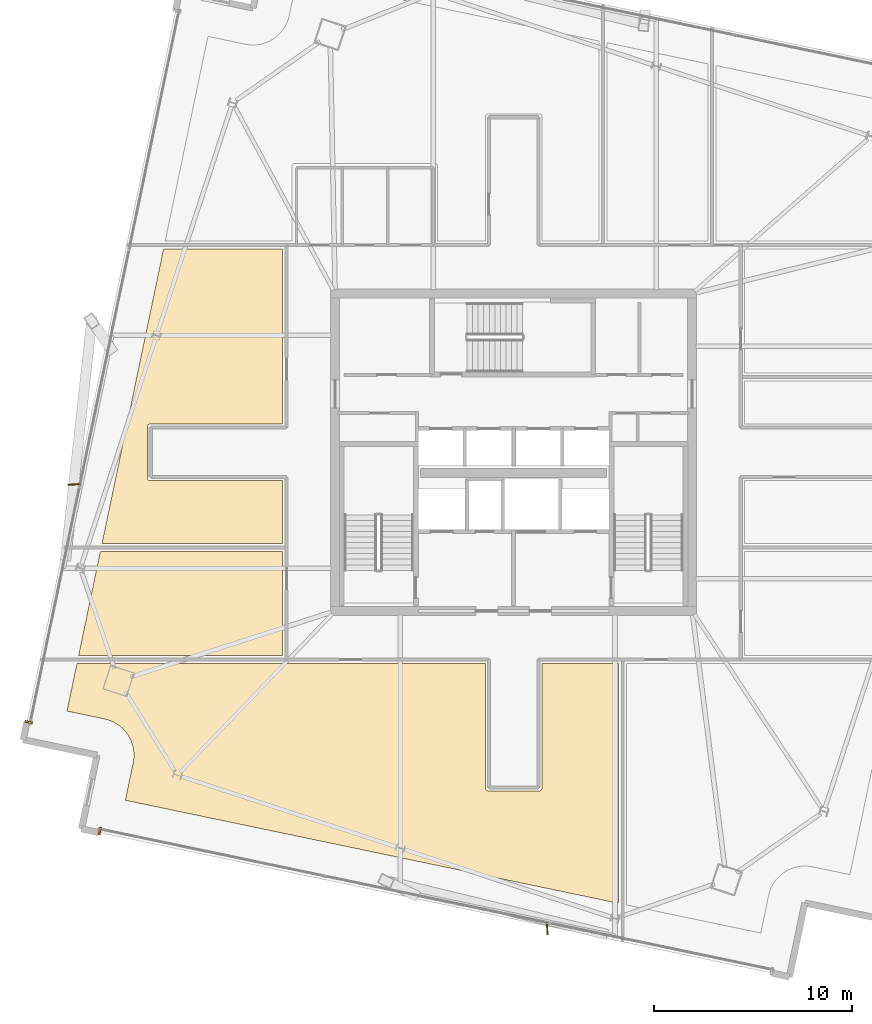
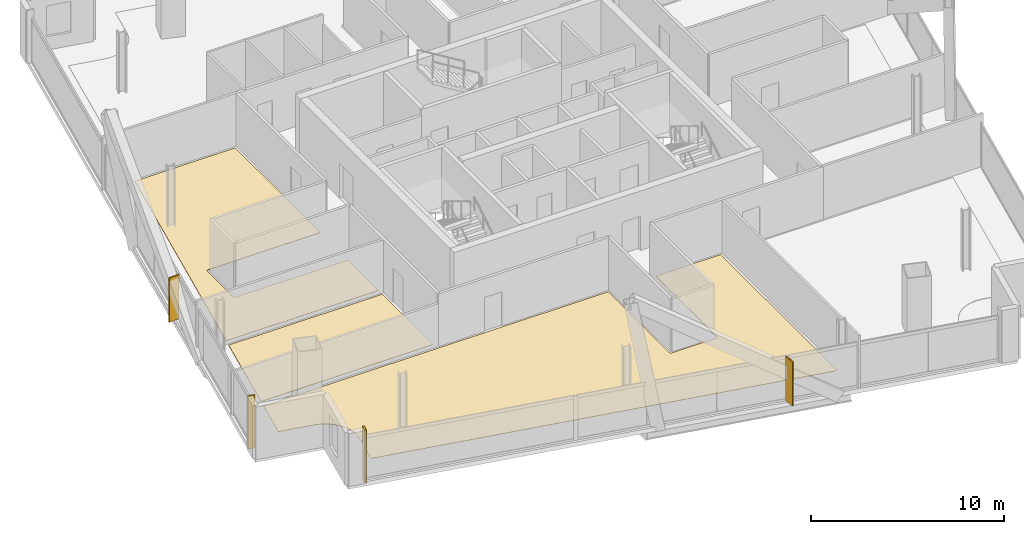
# One storey, part 21 of 24: 5 coverings, 2 shading devices.
"""IFC4 building model written with IfcOpenShell, lengths in metres."""

from ifc_helpers import new_model, si_unit, direction, frame, origin, origin_2d, place, context, subcontext, project, spatial, polyline, rectangle, outline, extrude, source, transform, mapped, material, layer, layer_set, type_object, element, save


model = new_model("IFC4")

# Units and contexts
model_context = context("Model", 3, precision=1e-05, world=origin(), true_north=direction((0.0, 1.0)))
body_context = subcontext(model_context, "Body", "Model", "MODEL_VIEW")
ifc_project = project(units=[si_unit("LENGTHUNIT", "METRE"), si_unit("AREAUNIT", "SQUARE_METRE"), si_unit("VOLUMEUNIT", "CUBIC_METRE"), si_unit("PLANEANGLEUNIT", "RADIAN"), si_unit("MASSUNIT", "GRAM", prefix="KILO")], contexts=[model_context])

# Site, building, storey
site_placement = place(None, origin())
site = spatial("IfcSite", under=ifc_project, at=site_placement, CompositionType="ELEMENT")
building_placement = place(site_placement, origin())
building = spatial("IfcBuilding", under=site, at=building_placement, Name="Haldenkirk Collegiate Tower", CompositionType="ELEMENT")
storey_placement = place(building_placement, frame((0.0, 0.0, 289.949951171875)))
storey = spatial("IfcBuildingStorey", under=building, at=storey_placement, Name="L73", CompositionType="ELEMENT", Elevation=289.949951171875)

# Coverings
ifc_material_1 = material(Name="Polished collegiate terrazzo", Category="concrete")
ifc_layer_1 = layer(ifc_material_1, 0.02490234375)
ifc_layer_set_1 = layer_set([ifc_layer_1], Name="Polished collegiate terrazzo")
covering_type_1 = type_object("IfcCoveringType", Name="COV-FLOOR-TERRAZZO", PredefinedType="FLOORING", material=ifc_layer_set_1)
covering_1_placement = place(storey_placement, origin())
element("IfcCovering", 1, at=covering_1_placement, inside=storey, type_object=covering_type_1, Name="L73 academic room finish 06", PredefinedType="FLOORING", context=body_context, shape_type="SweptSolid", body=[
    extrude(outline(polyline([(15.156982421875, 21.0), (24.35009765625, 21.0), (24.35009765625, 15.75), (14.060302734375, 15.75), (15.156982421875, 21.0)])), origin(), (0.0, 0.0, 1.0), 0.025146484375),
])
ifc_material_2 = material(Name="Engineered collegiate oak acoustic flooring", Category="wood")
ifc_layer_2 = layer(ifc_material_2, 0.02197265625)
ifc_layer_set_2 = layer_set([ifc_layer_2], Name="Engineered collegiate oak acoustic flooring")
covering_type_2 = type_object("IfcCoveringType", Name="COV-FLOOR-TIMBER", PredefinedType="FLOORING", material=ifc_layer_set_2)
covering_2_placement = place(storey_placement, origin())
element("IfcCovering", 2, at=covering_2_placement, inside=storey, type_object=covering_type_2, Name="L73 academic room finish 01", PredefinedType="FLOORING", context=body_context, shape_type="SweptSolid", body=[
    extrude(outline(polyline([(16.41796875, 8.45361328125), (16.812744140625, 10.343017578125), (16.813720703125, 10.3486328125), (16.840576171875, 10.518310546875), (16.841796875, 10.530029296875), (16.851806640625, 10.701416015625), (16.85205078125, 10.71337890625), (16.84521484375, 10.885009765625), (16.84423828125, 10.896484375), (16.82080078125, 11.066650390625), (16.818603515625, 11.078369140625), (16.7783203125, 11.245361328125), (16.77490234375, 11.256591796875), (16.71875, 11.418701171875), (16.71435546875, 11.4296875), (16.642333984375, 11.585693359375), (16.636962890625, 11.59619140625), (16.550048828125, 11.744140625), (16.543701171875, 11.75390625), (16.442626953125, 11.89306640625), (16.435302734375, 11.90234375), (16.321044921875, 12.030517578125), (16.31298828125, 12.038818359375), (16.186767578125, 12.155517578125), (16.177734375, 12.1630859375), (16.040771484375, 12.2666015625), (16.031005859375, 12.273193359375), (15.884521484375, 12.363037109375), (15.874267578125, 12.36865234375), (15.7197265625, 12.443603515625), (15.708984375, 12.4482421875), (15.547607421875, 12.507568359375), (15.53662109375, 12.510986328125), (15.370361328125, 12.554443359375), (15.364501953125, 12.555908203125), (13.475341796875, 12.950439453125), (13.976806640625, 15.35009765625), (34.580078125, 15.35009765625), (34.580078125, 9.050048828125), (34.58056640625, 9.0380859375), (34.582275390625, 9.026611328125), (34.585205078125, 9.01513671875), (34.589111328125, 9.004150390625), (34.59423828125, 8.993408203125), (34.60009765625, 8.9833984375), (34.607177734375, 8.973876953125), (34.614990234375, 8.965087890625), (34.623779296875, 8.957275390625), (34.63330078125, 8.9501953125), (34.643310546875, 8.944091796875), (34.654052734375, 8.939208984375), (34.665283203125, 8.935302734375), (34.676513671875, 8.932373046875), (34.688232421875, 8.9306640625), (34.699951171875, 8.929931640625), (37.300048828125, 8.929931640625), (37.311767578125, 8.9306640625), (37.323486328125, 8.932373046875), (37.334716796875, 8.935302734375), (37.345947265625, 8.939208984375), (37.356689453125, 8.944091796875), (37.36669921875, 8.9501953125), (37.376220703125, 8.957275390625), (37.385009765625, 8.965087890625), (37.392822265625, 8.973876953125), (37.39990234375, 8.9833984375), (37.40576171875, 8.993408203125), (37.410888671875, 9.004150390625), (37.414794921875, 9.01513671875), (37.417724609375, 9.026611328125), (37.41943359375, 9.0380859375), (37.419921875, 9.050048828125), (37.419921875, 15.35009765625), (41.300048828125, 15.35009765625), (41.300048828125, 3.255615234375), (16.41796875, 8.45361328125)])), origin(), (0.0, 0.0, 1.0), 0.02197265625),
])
covering_3_placement = place(storey_placement, origin())
element("IfcCovering", 3, at=covering_3_placement, inside=storey, type_object=covering_type_2, Name="L73 academic room finish 07", PredefinedType="FLOORING", context=body_context, shape_type="SweptSolid", body=[
    extrude(outline(polyline([(17.64990234375, 27.419921875), (17.63818359375, 27.41943359375), (17.626708984375, 27.417724609375), (17.615234375, 27.414794921875), (17.60400390625, 27.410888671875), (17.593505859375, 27.40576171875), (17.583251953125, 27.39990234375), (17.573974609375, 27.392822265625), (17.565185546875, 27.385009765625), (17.55712890625, 27.376220703125), (17.55029296875, 27.36669921875), (17.544189453125, 27.356689453125), (17.5390625, 27.345947265625), (17.53515625, 27.334716796875), (17.5322265625, 27.323486328125), (17.530517578125, 27.311767578125), (17.530029296875, 27.300048828125), (17.530029296875, 24.699951171875), (17.530517578125, 24.688232421875), (17.5322265625, 24.676513671875), (17.53515625, 24.665283203125), (17.5390625, 24.654052734375), (17.544189453125, 24.643310546875), (17.55029296875, 24.63330078125), (17.55712890625, 24.623779296875), (17.565185546875, 24.614990234375), (17.573974609375, 24.607177734375), (17.583251953125, 24.60009765625), (17.593505859375, 24.59423828125), (17.60400390625, 24.589111328125), (17.615234375, 24.585205078125), (17.626708984375, 24.582275390625), (17.63818359375, 24.58056640625), (17.64990234375, 24.580078125), (24.35009765625, 24.580078125), (24.35009765625, 21.39990234375), (15.240478515625, 21.39990234375), (18.343017578125, 36.25), (24.35009765625, 36.25), (24.35009765625, 27.419921875), (17.64990234375, 27.419921875)])), origin(), (0.0, 0.0, 1.0), 0.02197265625),
])
ifc_material_3 = material(Name="Anodised architectural bronze aluminium", Category="aluminium")
ifc_layer_3 = layer(ifc_material_3, 0.06005859375)
ifc_layer_set_3 = layer_set([ifc_layer_3], Name="Anodised architectural bronze aluminium")
covering_type_3 = type_object("IfcCoveringType", Name="COV-CLAD-BRONZE-60", PredefinedType="CLADDING", material=ifc_layer_set_3)
shared_shape_1 = source(origin(), body_context, "Body", "SweptSolid", [
    extrude(rectangle(XDim=0.10009765625, YDim=0.3798828125, at=origin_2d()), origin(), (0.0, 0.0, 1.0), 3.340087890625),
])
for number, where, z_axis, x_axis, name in (
    (4, (11.540771484375, 12.394287109375, 0.0), (0.0, 0.0, 1.0), (0.204496051842, 0.978867388762, 0.0), "L73 recessed curtain-wall bronze jamb closure NJL"),
    (5, (15.1337890625, 6.903564453125, 0.0), (0.0, 0.0, 1.0), (-0.978867388762, 0.204496051842, 0.0), "L73 recessed curtain-wall bronze jamb closure WJR"),
):
    element("IfcCovering", number, at=place(storey_placement, frame(where, z_axis=z_axis, x_axis=x_axis)), inside=storey, type_object=covering_type_3, Name=name, PredefinedType="CLADDING", context=body_context, shape_type="MappedRepresentation", body=[
        mapped(shared_shape_1, transform((0.0, 0.0, 0.0), x_axis=(1.0, 0.0, 0.0), y_axis=(0.0, 1.0, 0.0), z_axis=(0.0, 0.0, 1.0), scale=1.0)),
    ])

# Shading devices
ifc_layer_4 = layer(ifc_material_3, 0.06494140625)
ifc_layer_set_4 = layer_set([ifc_layer_4], Name="Anodised architectural bronze aluminium")
shading_device_type = type_object("IfcShadingDeviceType", Name="SHD-FIN-BRONZE-620", PredefinedType="USERDEFINED", material=ifc_layer_set_4)
shared_shape_2 = source(origin(), body_context, "Body", "SweptSolid", [
    extrude(rectangle(XDim=0.6201171875, YDim=0.06494140625, at=origin_2d()), origin(), (0.0, 0.0, 1.0), 2.798095703125),
])
for number, where, z_axis, x_axis, name in (
    (6, (13.835693359375, 24.381591796875, 0.0), (0.0, 0.0, 1.0), (-0.997314477224, -0.073238197128, 0.0), "L73 folded bronze solar fin 1"),
    (7, (37.690673828125, 1.981689453125, 0.0), (0.0, 0.0, 1.0), (0.073238197128, -0.997314477224, 0.0), "L73 folded bronze solar fin 1"),
):
    element("IfcShadingDevice", number, at=place(storey_placement, frame(where, z_axis=z_axis, x_axis=x_axis)), inside=storey, type_object=shading_device_type, Name=name, ObjectType="FIN", PredefinedType="USERDEFINED", context=body_context, shape_type="MappedRepresentation", body=[
        mapped(shared_shape_2, transform((0.0, 0.0, 0.0), x_axis=(1.0, 0.0, 0.0), y_axis=(0.0, 1.0, 0.0), z_axis=(0.0, 0.0, 1.0), scale=1.0)),
    ])

save(model, "model.ifc")
